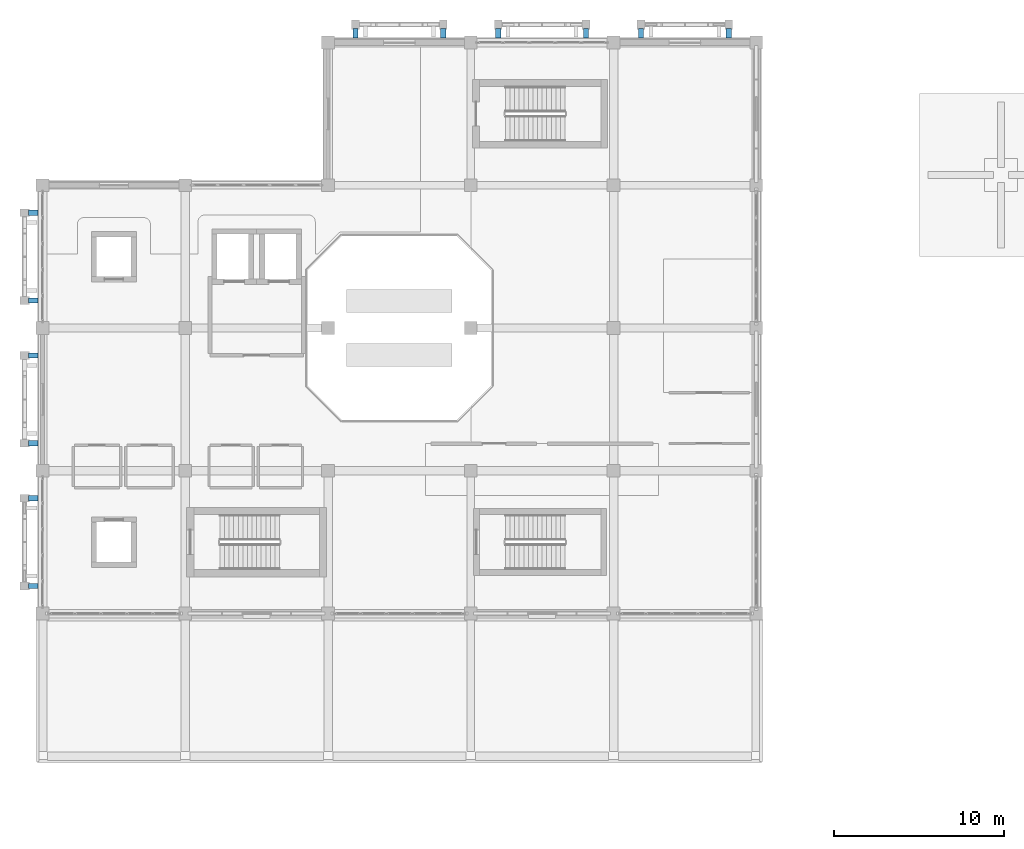
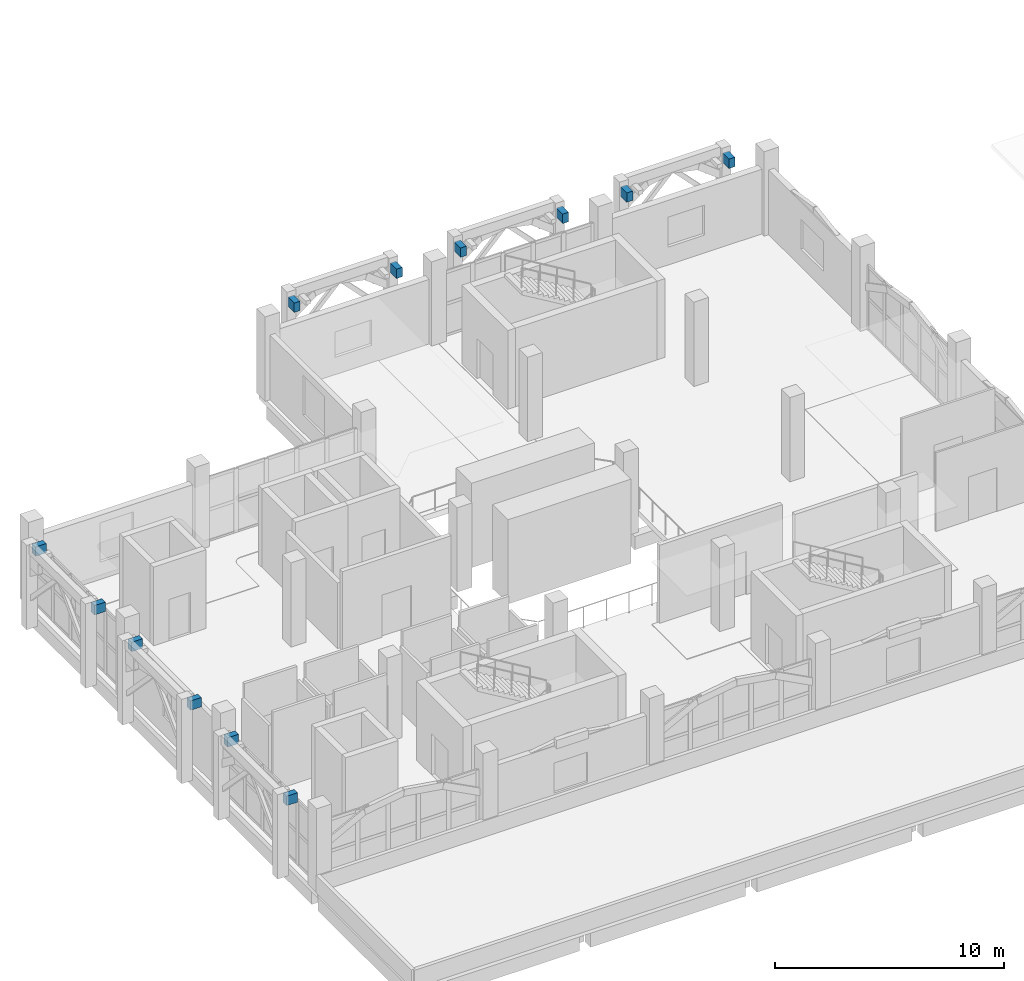
# One storey, part 18 of 30: 12 beams.
"""IFC4 building model written with IfcOpenShell, lengths in metres."""

from ifc_helpers import new_model, si_unit, direction, frame, origin, origin_2d, place, context, subcontext, project, spatial, rectangle, extrude, material, material_profile, profile_set, type_object, element, save


model = new_model("IFC4")

# Units and contexts
model_context = context("Model", 3, precision=1e-05, world=origin(), true_north=direction((0.0, 1.0)))
body_context = subcontext(model_context, "Body", "Model", "MODEL_VIEW")
ifc_project = project(units=[si_unit("LENGTHUNIT", "METRE"), si_unit("AREAUNIT", "SQUARE_METRE"), si_unit("VOLUMEUNIT", "CUBIC_METRE"), si_unit("PLANEANGLEUNIT", "RADIAN"), si_unit("MASSUNIT", "GRAM", prefix="KILO")], contexts=[model_context])

# Site, building, storey
site_placement = place(None, origin())
site = spatial("IfcSite", under=ifc_project, at=site_placement, CompositionType="ELEMENT")
building_placement = place(site_placement, origin())
building = spatial("IfcBuilding", under=site, at=building_placement, Name="Xazarin Passage Department Store", CompositionType="ELEMENT")
storey_placement = place(building_placement, frame((0.0, 0.0, 23.39990234375)))
storey = spatial("IfcBuildingStorey", under=building, at=storey_placement, Name="L05", CompositionType="ELEMENT", Elevation=23.39990234375)

# Beams
ifc_material = material(Name="Concrete C35/45", Category="concrete")
ifc_material_profile = material_profile(ifc_material, rectangle(XDim=0.300048828125, YDim=0.5, at=origin_2d()), Name="RC 300x500")
ifc_profile_set = profile_set([ifc_material_profile], Name="Concrete C35/45")
beam_type = type_object("IfcBeamType", Name="STR-BM-LN300x500", PredefinedType="LINTEL", material=ifc_profile_set)
for number, where, z_axis, x_axis, name in (
    (1, (18.419921875, 110.280029296875, 3.9501953125), (0.0, 1.0, 0.0), (-1.0, 0.0, 0.0), "L05 V1 Colonnade Tie Rib 001L"),
    (2, (23.580078125, 110.280029296875, 3.9501953125), (0.0, 1.0, 0.0), (-1.0, 0.0, 0.0), "L05 V1 Colonnade Tie Rib 001R"),
    (3, (26.820068359375, 110.280029296875, 3.9501953125), (0.0, 1.0, 0.0), (-1.0, 0.0, 0.0), "L05 V1 Colonnade Tie Rib 002L"),
    (4, (31.97998046875, 110.280029296875, 3.9501953125), (0.0, 1.0, 0.0), (-1.0, 0.0, 0.0), "L05 V1 Colonnade Tie Rib 002R"),
    (5, (35.219970703125, 110.280029296875, 3.9501953125), (0.0, 1.0, 0.0), (-1.0, 0.0, 0.0), "L05 V1 Colonnade Tie Rib 003L"),
    (6, (40.3798828125, 110.280029296875, 3.9501953125), (0.0, 1.0, 0.0), (-1.0, 0.0, 0.0), "L05 V1 Colonnade Tie Rib 003R"),
    (7, (-0.280029296875, 78.02001953125, 3.9501953125), (-1.0, 0.0, 0.0), (0.0, -1.0, 0.0), "L05 V1 Colonnade Tie Rib 011L"),
    (8, (-0.280029296875, 83.179931640625, 3.9501953125), (-1.0, 0.0, 0.0), (0.0, -1.0, 0.0), "L05 V1 Colonnade Tie Rib 011R"),
    (9, (-0.280029296875, 86.419921875, 3.9501953125), (-1.0, 0.0, 0.0), (0.0, -1.0, 0.0), "L05 V1 Colonnade Tie Rib 012L"),
    (10, (-0.280029296875, 91.580078125, 3.9501953125), (-1.0, 0.0, 0.0), (0.0, -1.0, 0.0), "L05 V1 Colonnade Tie Rib 012R"),
    (11, (-0.280029296875, 94.820068359375, 3.9501953125), (-1.0, 0.0, 0.0), (0.0, -1.0, 0.0), "L05 V1 Colonnade Tie Rib 013L"),
    (12, (-0.280029296875, 99.97998046875, 3.9501953125), (-1.0, 0.0, 0.0), (0.0, -1.0, 0.0), "L05 V1 Colonnade Tie Rib 013R"),
):
    element("IfcBeam", number, at=place(storey_placement, frame(where, z_axis=z_axis, x_axis=x_axis)), inside=storey, type_object=beam_type, Name=name, PredefinedType="LINTEL", context=body_context, shape_type="SweptSolid", body=[
        extrude(rectangle(XDim=0.300048828125, YDim=0.5, at=origin_2d()), origin(), (0.0, 0.0, 1.0), 0.550048828125),
    ])

save(model, "model.ifc")
